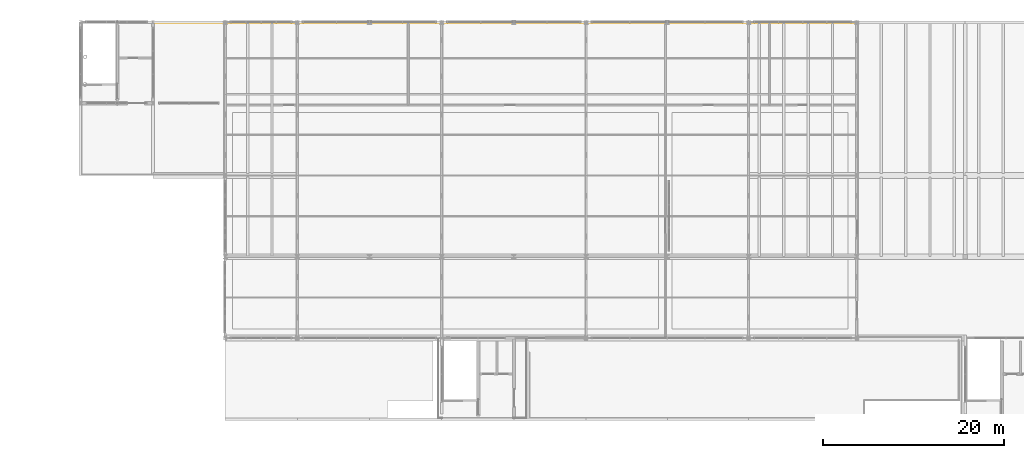
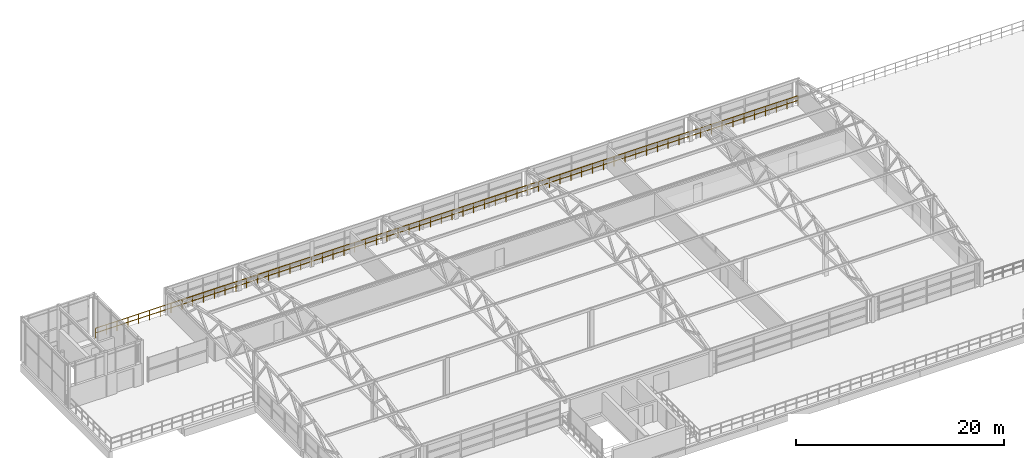
# One storey, part 45 of 50: 1 railing.
"""IFC4 building model written with IfcOpenShell, lengths in metres."""

from ifc_helpers import new_model, si_unit, derived_unit, direction, frame, origin, origin_2d, place, context, subcontext, project, spatial, circle, extrude, material, type_object, element, save


model = new_model("IFC4")

# Units and contexts
model_context = context("Model", 3, precision=1e-05, world=origin(), true_north=direction((0.0, 1.0)))
body_context = subcontext(model_context, "Body", "Model", "MODEL_VIEW")
ifc_project = project(units=[si_unit("LENGTHUNIT", "METRE"), si_unit("AREAUNIT", "SQUARE_METRE"), si_unit("VOLUMEUNIT", "CUBIC_METRE"), si_unit("PLANEANGLEUNIT", "RADIAN"), si_unit("MASSUNIT", "GRAM", prefix="KILO"), si_unit("THERMODYNAMICTEMPERATUREUNIT", "KELVIN"), derived_unit("THERMALTRANSMITTANCEUNIT", [(si_unit("POWERUNIT", "WATT"), 1), (si_unit("AREAUNIT", "SQUARE_METRE"), -1), (si_unit("THERMODYNAMICTEMPERATUREUNIT", "KELVIN"), -1)])], contexts=[model_context])

# Site, building, storey
site_placement = place(None, origin())
site = spatial("IfcSite", under=ifc_project, at=site_placement, CompositionType="ELEMENT")
building_placement = place(site_placement, origin())
building = spatial("IfcBuilding", under=site, at=building_placement, Name="Haiyu Intermodal Mobility Hub", CompositionType="ELEMENT")
storey_placement = place(building_placement, frame((0.0, 0.0, 25.10009765625)))
storey = spatial("IfcBuildingStorey", under=building, at=storey_placement, Name="L06", CompositionType="ELEMENT", Elevation=25.10009765625)

# Railing
ifc_material = material(Name="Steel Q355C", Category="steel")
railing_type = type_object("IfcRailingType", Name="RAL-GR03", PredefinedType="GUARDRAIL", material=ifc_material)
railing_placement = place(storey_placement, frame((30.050048828125, 147.8798828125, 0.0)))
element("IfcRailing", 1, at=railing_placement, inside=storey, type_object=railing_type, Name="L06 Sports Pavilion North Sill Guard", PredefinedType="GUARDRAIL", context=body_context, shape_type="SweptSolid", body=[
    extrude(circle(Radius=0.02392578125, at=origin_2d()), frame((0.030029296875, 0.0, 1.1259765625), z_axis=(1.0, 0.0, 0.0), x_axis=(0.0, 1.0, 0.0)), (0.0, 0.0, 1.0), 77.769775390625),
    extrude(circle(Radius=0.02392578125, at=origin_2d()), frame((0.037353515625, 0.0, 0.574951171875), z_axis=(1.0, 0.0, 0.0), x_axis=(0.0, 1.0, 0.0)), (0.0, 0.0, 1.0), 1.122802734375),
    extrude(circle(Radius=0.02392578125, at=origin_2d()), frame((1.234619140625, 0.0, 0.574951171875), z_axis=(1.0, 0.0, 0.0), x_axis=(0.0, 1.0, 0.0)), (0.0, 0.0, 1.0), 1.122802734375),
    extrude(circle(Radius=0.02392578125, at=origin_2d()), frame((2.43212890625, 0.0, 0.574951171875), z_axis=(1.0, 0.0, 0.0), x_axis=(0.0, 1.0, 0.0)), (0.0, 0.0, 1.0), 1.122802734375),
    extrude(circle(Radius=0.02392578125, at=origin_2d()), frame((3.62939453125, 0.0, 0.574951171875), z_axis=(1.0, 0.0, 0.0), x_axis=(0.0, 1.0, 0.0)), (0.0, 0.0, 1.0), 1.122802734375),
    extrude(circle(Radius=0.02392578125, at=origin_2d()), frame((4.826904296875, 0.0, 0.574951171875), z_axis=(1.0, 0.0, 0.0), x_axis=(0.0, 1.0, 0.0)), (0.0, 0.0, 1.0), 1.122802734375),
    extrude(circle(Radius=0.02392578125, at=origin_2d()), frame((6.024169921875, 0.0, 0.574951171875), z_axis=(1.0, 0.0, 0.0), x_axis=(0.0, 1.0, 0.0)), (0.0, 0.0, 1.0), 1.122802734375),
    extrude(circle(Radius=0.02392578125, at=origin_2d()), frame((7.2216796875, 0.0, 0.574951171875), z_axis=(1.0, 0.0, 0.0), x_axis=(0.0, 1.0, 0.0)), (0.0, 0.0, 1.0), 1.122802734375),
    extrude(circle(Radius=0.02392578125, at=origin_2d()), frame((8.4189453125, 0.0, 0.574951171875), z_axis=(1.0, 0.0, 0.0), x_axis=(0.0, 1.0, 0.0)), (0.0, 0.0, 1.0), 1.122802734375),
    extrude(circle(Radius=0.02392578125, at=origin_2d()), frame((9.616455078125, 0.0, 0.574951171875), z_axis=(1.0, 0.0, 0.0), x_axis=(0.0, 1.0, 0.0)), (0.0, 0.0, 1.0), 1.122802734375),
    extrude(circle(Radius=0.02392578125, at=origin_2d()), frame((10.813720703125, 0.0, 0.574951171875), z_axis=(1.0, 0.0, 0.0), x_axis=(0.0, 1.0, 0.0)), (0.0, 0.0, 1.0), 1.122802734375),
    extrude(circle(Radius=0.02392578125, at=origin_2d()), frame((12.01123046875, 0.0, 0.574951171875), z_axis=(1.0, 0.0, 0.0), x_axis=(0.0, 1.0, 0.0)), (0.0, 0.0, 1.0), 1.122802734375),
    extrude(circle(Radius=0.02392578125, at=origin_2d()), frame((13.20849609375, 0.0, 0.574951171875), z_axis=(1.0, 0.0, 0.0), x_axis=(0.0, 1.0, 0.0)), (0.0, 0.0, 1.0), 1.122802734375),
    extrude(circle(Radius=0.02392578125, at=origin_2d()), frame((14.40576171875, 0.0, 0.574951171875), z_axis=(1.0, 0.0, 0.0), x_axis=(0.0, 1.0, 0.0)), (0.0, 0.0, 1.0), 1.122802734375),
    extrude(circle(Radius=0.02392578125, at=origin_2d()), frame((15.603271484375, 0.0, 0.574951171875), z_axis=(1.0, 0.0, 0.0), x_axis=(0.0, 1.0, 0.0)), (0.0, 0.0, 1.0), 1.122802734375),
    extrude(circle(Radius=0.02392578125, at=origin_2d()), frame((16.800537109375, 0.0, 0.574951171875), z_axis=(1.0, 0.0, 0.0), x_axis=(0.0, 1.0, 0.0)), (0.0, 0.0, 1.0), 1.122802734375),
    extrude(circle(Radius=0.02392578125, at=origin_2d()), frame((17.998046875, 0.0, 0.574951171875), z_axis=(1.0, 0.0, 0.0), x_axis=(0.0, 1.0, 0.0)), (0.0, 0.0, 1.0), 1.122802734375),
    extrude(circle(Radius=0.02392578125, at=origin_2d()), frame((19.1953125, 0.0, 0.574951171875), z_axis=(1.0, 0.0, 0.0), x_axis=(0.0, 1.0, 0.0)), (0.0, 0.0, 1.0), 1.122802734375),
    extrude(circle(Radius=0.02392578125, at=origin_2d()), frame((20.392822265625, 0.0, 0.574951171875), z_axis=(1.0, 0.0, 0.0), x_axis=(0.0, 1.0, 0.0)), (0.0, 0.0, 1.0), 1.122802734375),
    extrude(circle(Radius=0.02392578125, at=origin_2d()), frame((21.590087890625, 0.0, 0.574951171875), z_axis=(1.0, 0.0, 0.0), x_axis=(0.0, 1.0, 0.0)), (0.0, 0.0, 1.0), 1.122802734375),
    extrude(circle(Radius=0.02392578125, at=origin_2d()), frame((22.78759765625, 0.0, 0.574951171875), z_axis=(1.0, 0.0, 0.0), x_axis=(0.0, 1.0, 0.0)), (0.0, 0.0, 1.0), 1.122802734375),
    extrude(circle(Radius=0.02392578125, at=origin_2d()), frame((23.98486328125, 0.0, 0.574951171875), z_axis=(1.0, 0.0, 0.0), x_axis=(0.0, 1.0, 0.0)), (0.0, 0.0, 1.0), 1.122802734375),
    extrude(circle(Radius=0.02392578125, at=origin_2d()), frame((25.182373046875, 0.0, 0.574951171875), z_axis=(1.0, 0.0, 0.0), x_axis=(0.0, 1.0, 0.0)), (0.0, 0.0, 1.0), 1.122802734375),
    extrude(circle(Radius=0.02392578125, at=origin_2d()), frame((26.379638671875, 0.0, 0.574951171875), z_axis=(1.0, 0.0, 0.0), x_axis=(0.0, 1.0, 0.0)), (0.0, 0.0, 1.0), 1.122802734375),
    extrude(circle(Radius=0.02392578125, at=origin_2d()), frame((27.5771484375, 0.0, 0.574951171875), z_axis=(1.0, 0.0, 0.0), x_axis=(0.0, 1.0, 0.0)), (0.0, 0.0, 1.0), 1.122802734375),
    extrude(circle(Radius=0.02392578125, at=origin_2d()), frame((28.7744140625, 0.0, 0.574951171875), z_axis=(1.0, 0.0, 0.0), x_axis=(0.0, 1.0, 0.0)), (0.0, 0.0, 1.0), 1.122802734375),
    extrude(circle(Radius=0.02392578125, at=origin_2d()), frame((29.971923828125, 0.0, 0.574951171875), z_axis=(1.0, 0.0, 0.0), x_axis=(0.0, 1.0, 0.0)), (0.0, 0.0, 1.0), 1.122802734375),
    extrude(circle(Radius=0.02392578125, at=origin_2d()), frame((31.169189453125, 0.0, 0.574951171875), z_axis=(1.0, 0.0, 0.0), x_axis=(0.0, 1.0, 0.0)), (0.0, 0.0, 1.0), 1.122802734375),
    extrude(circle(Radius=0.02392578125, at=origin_2d()), frame((32.36669921875, 0.0, 0.574951171875), z_axis=(1.0, 0.0, 0.0), x_axis=(0.0, 1.0, 0.0)), (0.0, 0.0, 1.0), 1.122802734375),
    extrude(circle(Radius=0.02392578125, at=origin_2d()), frame((33.56396484375, 0.0, 0.574951171875), z_axis=(1.0, 0.0, 0.0), x_axis=(0.0, 1.0, 0.0)), (0.0, 0.0, 1.0), 1.122802734375),
    extrude(circle(Radius=0.02392578125, at=origin_2d()), frame((34.761474609375, 0.0, 0.574951171875), z_axis=(1.0, 0.0, 0.0), x_axis=(0.0, 1.0, 0.0)), (0.0, 0.0, 1.0), 1.122802734375),
    extrude(circle(Radius=0.02392578125, at=origin_2d()), frame((35.958740234375, 0.0, 0.574951171875), z_axis=(1.0, 0.0, 0.0), x_axis=(0.0, 1.0, 0.0)), (0.0, 0.0, 1.0), 1.122802734375),
    extrude(circle(Radius=0.02392578125, at=origin_2d()), frame((37.15625, 0.0, 0.574951171875), z_axis=(1.0, 0.0, 0.0), x_axis=(0.0, 1.0, 0.0)), (0.0, 0.0, 1.0), 1.122802734375),
    extrude(circle(Radius=0.02392578125, at=origin_2d()), frame((38.353515625, 0.0, 0.574951171875), z_axis=(1.0, 0.0, 0.0), x_axis=(0.0, 1.0, 0.0)), (0.0, 0.0, 1.0), 1.122802734375),
    extrude(circle(Radius=0.02392578125, at=origin_2d()), frame((39.55078125, 0.0, 0.574951171875), z_axis=(1.0, 0.0, 0.0), x_axis=(0.0, 1.0, 0.0)), (0.0, 0.0, 1.0), 1.122802734375),
    extrude(circle(Radius=0.02392578125, at=origin_2d()), frame((40.748291015625, 0.0, 0.574951171875), z_axis=(1.0, 0.0, 0.0), x_axis=(0.0, 1.0, 0.0)), (0.0, 0.0, 1.0), 1.122802734375),
    extrude(circle(Radius=0.02392578125, at=origin_2d()), frame((41.945556640625, 0.0, 0.574951171875), z_axis=(1.0, 0.0, 0.0), x_axis=(0.0, 1.0, 0.0)), (0.0, 0.0, 1.0), 1.122802734375),
    extrude(circle(Radius=0.02392578125, at=origin_2d()), frame((43.14306640625, 0.0, 0.574951171875), z_axis=(1.0, 0.0, 0.0), x_axis=(0.0, 1.0, 0.0)), (0.0, 0.0, 1.0), 1.122802734375),
    extrude(circle(Radius=0.02392578125, at=origin_2d()), frame((44.34033203125, 0.0, 0.574951171875), z_axis=(1.0, 0.0, 0.0), x_axis=(0.0, 1.0, 0.0)), (0.0, 0.0, 1.0), 1.122802734375),
    extrude(circle(Radius=0.02392578125, at=origin_2d()), frame((45.537841796875, 0.0, 0.574951171875), z_axis=(1.0, 0.0, 0.0), x_axis=(0.0, 1.0, 0.0)), (0.0, 0.0, 1.0), 1.122802734375),
    extrude(circle(Radius=0.02392578125, at=origin_2d()), frame((46.735107421875, 0.0, 0.574951171875), z_axis=(1.0, 0.0, 0.0), x_axis=(0.0, 1.0, 0.0)), (0.0, 0.0, 1.0), 1.122802734375),
    extrude(circle(Radius=0.02392578125, at=origin_2d()), frame((47.9326171875, 0.0, 0.574951171875), z_axis=(1.0, 0.0, 0.0), x_axis=(0.0, 1.0, 0.0)), (0.0, 0.0, 1.0), 1.122802734375),
    extrude(circle(Radius=0.02392578125, at=origin_2d()), frame((49.1298828125, 0.0, 0.574951171875), z_axis=(1.0, 0.0, 0.0), x_axis=(0.0, 1.0, 0.0)), (0.0, 0.0, 1.0), 1.122802734375),
    extrude(circle(Radius=0.02392578125, at=origin_2d()), frame((50.327392578125, 0.0, 0.574951171875), z_axis=(1.0, 0.0, 0.0), x_axis=(0.0, 1.0, 0.0)), (0.0, 0.0, 1.0), 1.122802734375),
    extrude(circle(Radius=0.02392578125, at=origin_2d()), frame((51.524658203125, 0.0, 0.574951171875), z_axis=(1.0, 0.0, 0.0), x_axis=(0.0, 1.0, 0.0)), (0.0, 0.0, 1.0), 1.122802734375),
    extrude(circle(Radius=0.02392578125, at=origin_2d()), frame((52.72216796875, 0.0, 0.574951171875), z_axis=(1.0, 0.0, 0.0), x_axis=(0.0, 1.0, 0.0)), (0.0, 0.0, 1.0), 1.122802734375),
    extrude(circle(Radius=0.02392578125, at=origin_2d()), frame((53.91943359375, 0.0, 0.574951171875), z_axis=(1.0, 0.0, 0.0), x_axis=(0.0, 1.0, 0.0)), (0.0, 0.0, 1.0), 1.122802734375),
    extrude(circle(Radius=0.02392578125, at=origin_2d()), frame((55.116943359375, 0.0, 0.574951171875), z_axis=(1.0, 0.0, 0.0), x_axis=(0.0, 1.0, 0.0)), (0.0, 0.0, 1.0), 1.122802734375),
    extrude(circle(Radius=0.02392578125, at=origin_2d()), frame((56.314208984375, 0.0, 0.574951171875), z_axis=(1.0, 0.0, 0.0), x_axis=(0.0, 1.0, 0.0)), (0.0, 0.0, 1.0), 1.122802734375),
    extrude(circle(Radius=0.02392578125, at=origin_2d()), frame((57.51171875, 0.0, 0.574951171875), z_axis=(1.0, 0.0, 0.0), x_axis=(0.0, 1.0, 0.0)), (0.0, 0.0, 1.0), 1.122802734375),
    extrude(circle(Radius=0.02392578125, at=origin_2d()), frame((58.708984375, 0.0, 0.574951171875), z_axis=(1.0, 0.0, 0.0), x_axis=(0.0, 1.0, 0.0)), (0.0, 0.0, 1.0), 1.122802734375),
    extrude(circle(Radius=0.02392578125, at=origin_2d()), frame((59.906494140625, 0.0, 0.574951171875), z_axis=(1.0, 0.0, 0.0), x_axis=(0.0, 1.0, 0.0)), (0.0, 0.0, 1.0), 1.122802734375),
    extrude(circle(Radius=0.02392578125, at=origin_2d()), frame((61.103759765625, 0.0, 0.574951171875), z_axis=(1.0, 0.0, 0.0), x_axis=(0.0, 1.0, 0.0)), (0.0, 0.0, 1.0), 1.122802734375),
    extrude(circle(Radius=0.02392578125, at=origin_2d()), frame((62.30126953125, 0.0, 0.574951171875), z_axis=(1.0, 0.0, 0.0), x_axis=(0.0, 1.0, 0.0)), (0.0, 0.0, 1.0), 1.122802734375),
    extrude(circle(Radius=0.02392578125, at=origin_2d()), frame((63.49853515625, 0.0, 0.574951171875), z_axis=(1.0, 0.0, 0.0), x_axis=(0.0, 1.0, 0.0)), (0.0, 0.0, 1.0), 1.122802734375),
    extrude(circle(Radius=0.02392578125, at=origin_2d()), frame((64.696044921875, 0.0, 0.574951171875), z_axis=(1.0, 0.0, 0.0), x_axis=(0.0, 1.0, 0.0)), (0.0, 0.0, 1.0), 1.122802734375),
    extrude(circle(Radius=0.02392578125, at=origin_2d()), frame((65.893310546875, 0.0, 0.574951171875), z_axis=(1.0, 0.0, 0.0), x_axis=(0.0, 1.0, 0.0)), (0.0, 0.0, 1.0), 1.122802734375),
    extrude(circle(Radius=0.02392578125, at=origin_2d()), frame((67.090576171875, 0.0, 0.574951171875), z_axis=(1.0, 0.0, 0.0), x_axis=(0.0, 1.0, 0.0)), (0.0, 0.0, 1.0), 1.122802734375),
    extrude(circle(Radius=0.02392578125, at=origin_2d()), frame((68.2880859375, 0.0, 0.574951171875), z_axis=(1.0, 0.0, 0.0), x_axis=(0.0, 1.0, 0.0)), (0.0, 0.0, 1.0), 1.122802734375),
    extrude(circle(Radius=0.02392578125, at=origin_2d()), frame((69.4853515625, 0.0, 0.574951171875), z_axis=(1.0, 0.0, 0.0), x_axis=(0.0, 1.0, 0.0)), (0.0, 0.0, 1.0), 1.122802734375),
    extrude(circle(Radius=0.02392578125, at=origin_2d()), frame((70.682861328125, 0.0, 0.574951171875), z_axis=(1.0, 0.0, 0.0), x_axis=(0.0, 1.0, 0.0)), (0.0, 0.0, 1.0), 1.122802734375),
    extrude(circle(Radius=0.02392578125, at=origin_2d()), frame((71.880126953125, 0.0, 0.574951171875), z_axis=(1.0, 0.0, 0.0), x_axis=(0.0, 1.0, 0.0)), (0.0, 0.0, 1.0), 1.122802734375),
    extrude(circle(Radius=0.02392578125, at=origin_2d()), frame((73.07763671875, 0.0, 0.574951171875), z_axis=(1.0, 0.0, 0.0), x_axis=(0.0, 1.0, 0.0)), (0.0, 0.0, 1.0), 1.122802734375),
    extrude(circle(Radius=0.02392578125, at=origin_2d()), frame((74.27490234375, 0.0, 0.574951171875), z_axis=(1.0, 0.0, 0.0), x_axis=(0.0, 1.0, 0.0)), (0.0, 0.0, 1.0), 1.122802734375),
    extrude(circle(Radius=0.02392578125, at=origin_2d()), frame((75.472412109375, 0.0, 0.574951171875), z_axis=(1.0, 0.0, 0.0), x_axis=(0.0, 1.0, 0.0)), (0.0, 0.0, 1.0), 1.122802734375),
    extrude(circle(Radius=0.02392578125, at=origin_2d()), frame((76.669677734375, 0.0, 0.574951171875), z_axis=(1.0, 0.0, 0.0), x_axis=(0.0, 1.0, 0.0)), (0.0, 0.0, 1.0), 1.122802734375),
    extrude(circle(Radius=0.02099609375, at=origin_2d()), origin(), (0.0, 0.0, 1.0), 1.09375),
    extrude(circle(Radius=0.02099609375, at=origin_2d()), frame((1.197265625, 0.0, 0.0)), (0.0, 0.0, 1.0), 1.09375),
    extrude(circle(Radius=0.02099609375, at=origin_2d()), frame((2.394775390625, 0.0, 0.0)), (0.0, 0.0, 1.0), 1.09375),
    extrude(circle(Radius=0.02099609375, at=origin_2d()), frame((3.592041015625, 0.0, 0.0)), (0.0, 0.0, 1.0), 1.09375),
    extrude(circle(Radius=0.02099609375, at=origin_2d()), frame((4.78955078125, 0.0, 0.0)), (0.0, 0.0, 1.0), 1.09375),
    extrude(circle(Radius=0.02099609375, at=origin_2d()), frame((5.98681640625, 0.0, 0.0)), (0.0, 0.0, 1.0), 1.09375),
    extrude(circle(Radius=0.02099609375, at=origin_2d()), frame((7.184326171875, 0.0, 0.0)), (0.0, 0.0, 1.0), 1.09375),
    extrude(circle(Radius=0.02099609375, at=origin_2d()), frame((8.381591796875, 0.0, 0.0)), (0.0, 0.0, 1.0), 1.09375),
    extrude(circle(Radius=0.02099609375, at=origin_2d()), frame((9.5791015625, 0.0, 0.0)), (0.0, 0.0, 1.0), 1.09375),
    extrude(circle(Radius=0.02099609375, at=origin_2d()), frame((10.7763671875, 0.0, 0.0)), (0.0, 0.0, 1.0), 1.09375),
    extrude(circle(Radius=0.02099609375, at=origin_2d()), frame((11.973876953125, 0.0, 0.0)), (0.0, 0.0, 1.0), 1.09375),
    extrude(circle(Radius=0.02099609375, at=origin_2d()), frame((13.171142578125, 0.0, 0.0)), (0.0, 0.0, 1.0), 1.09375),
    extrude(circle(Radius=0.02099609375, at=origin_2d()), frame((14.36865234375, 0.0, 0.0)), (0.0, 0.0, 1.0), 1.09375),
    extrude(circle(Radius=0.02099609375, at=origin_2d()), frame((15.56591796875, 0.0, 0.0)), (0.0, 0.0, 1.0), 1.09375),
    extrude(circle(Radius=0.02099609375, at=origin_2d()), frame((16.763427734375, 0.0, 0.0)), (0.0, 0.0, 1.0), 1.09375),
    extrude(circle(Radius=0.02099609375, at=origin_2d()), frame((17.960693359375, 0.0, 0.0)), (0.0, 0.0, 1.0), 1.09375),
    extrude(circle(Radius=0.02099609375, at=origin_2d()), frame((19.158203125, 0.0, 0.0)), (0.0, 0.0, 1.0), 1.09375),
    extrude(circle(Radius=0.02099609375, at=origin_2d()), frame((20.35546875, 0.0, 0.0)), (0.0, 0.0, 1.0), 1.09375),
    extrude(circle(Radius=0.02099609375, at=origin_2d()), frame((21.552978515625, 0.0, 0.0)), (0.0, 0.0, 1.0), 1.09375),
    extrude(circle(Radius=0.02099609375, at=origin_2d()), frame((22.750244140625, 0.0, 0.0)), (0.0, 0.0, 1.0), 1.09375),
    extrude(circle(Radius=0.02099609375, at=origin_2d()), frame((23.94775390625, 0.0, 0.0)), (0.0, 0.0, 1.0), 1.09375),
    extrude(circle(Radius=0.02099609375, at=origin_2d()), frame((25.14501953125, 0.0, 0.0)), (0.0, 0.0, 1.0), 1.09375),
    extrude(circle(Radius=0.02099609375, at=origin_2d()), frame((26.34228515625, 0.0, 0.0)), (0.0, 0.0, 1.0), 1.09375),
    extrude(circle(Radius=0.02099609375, at=origin_2d()), frame((27.539794921875, 0.0, 0.0)), (0.0, 0.0, 1.0), 1.09375),
    extrude(circle(Radius=0.02099609375, at=origin_2d()), frame((28.737060546875, 0.0, 0.0)), (0.0, 0.0, 1.0), 1.09375),
    extrude(circle(Radius=0.02099609375, at=origin_2d()), frame((29.9345703125, 0.0, 0.0)), (0.0, 0.0, 1.0), 1.09375),
    extrude(circle(Radius=0.02099609375, at=origin_2d()), frame((31.1318359375, 0.0, 0.0)), (0.0, 0.0, 1.0), 1.09375),
    extrude(circle(Radius=0.02099609375, at=origin_2d()), frame((32.329345703125, 0.0, 0.0)), (0.0, 0.0, 1.0), 1.09375),
    extrude(circle(Radius=0.02099609375, at=origin_2d()), frame((33.526611328125, 0.0, 0.0)), (0.0, 0.0, 1.0), 1.09375),
    extrude(circle(Radius=0.02099609375, at=origin_2d()), frame((34.72412109375, 0.0, 0.0)), (0.0, 0.0, 1.0), 1.09375),
    extrude(circle(Radius=0.02099609375, at=origin_2d()), frame((35.92138671875, 0.0, 0.0)), (0.0, 0.0, 1.0), 1.09375),
    extrude(circle(Radius=0.02099609375, at=origin_2d()), frame((37.118896484375, 0.0, 0.0)), (0.0, 0.0, 1.0), 1.09375),
    extrude(circle(Radius=0.02099609375, at=origin_2d()), frame((38.316162109375, 0.0, 0.0)), (0.0, 0.0, 1.0), 1.09375),
    extrude(circle(Radius=0.02099609375, at=origin_2d()), frame((39.513671875, 0.0, 0.0)), (0.0, 0.0, 1.0), 1.09375),
    extrude(circle(Radius=0.02099609375, at=origin_2d()), frame((40.7109375, 0.0, 0.0)), (0.0, 0.0, 1.0), 1.09375),
    extrude(circle(Radius=0.02099609375, at=origin_2d()), frame((41.908447265625, 0.0, 0.0)), (0.0, 0.0, 1.0), 1.09375),
    extrude(circle(Radius=0.02099609375, at=origin_2d()), frame((43.105712890625, 0.0, 0.0)), (0.0, 0.0, 1.0), 1.09375),
    extrude(circle(Radius=0.02099609375, at=origin_2d()), frame((44.30322265625, 0.0, 0.0)), (0.0, 0.0, 1.0), 1.09375),
    extrude(circle(Radius=0.02099609375, at=origin_2d()), frame((45.50048828125, 0.0, 0.0)), (0.0, 0.0, 1.0), 1.09375),
    extrude(circle(Radius=0.02099609375, at=origin_2d()), frame((46.697998046875, 0.0, 0.0)), (0.0, 0.0, 1.0), 1.09375),
    extrude(circle(Radius=0.02099609375, at=origin_2d()), frame((47.895263671875, 0.0, 0.0)), (0.0, 0.0, 1.0), 1.09375),
    extrude(circle(Radius=0.02099609375, at=origin_2d()), frame((49.0927734375, 0.0, 0.0)), (0.0, 0.0, 1.0), 1.09375),
    extrude(circle(Radius=0.02099609375, at=origin_2d()), frame((50.2900390625, 0.0, 0.0)), (0.0, 0.0, 1.0), 1.09375),
    extrude(circle(Radius=0.02099609375, at=origin_2d()), frame((51.487548828125, 0.0, 0.0)), (0.0, 0.0, 1.0), 1.09375),
    extrude(circle(Radius=0.02099609375, at=origin_2d()), frame((52.684814453125, 0.0, 0.0)), (0.0, 0.0, 1.0), 1.09375),
    extrude(circle(Radius=0.02099609375, at=origin_2d()), frame((53.882080078125, 0.0, 0.0)), (0.0, 0.0, 1.0), 1.09375),
    extrude(circle(Radius=0.02099609375, at=origin_2d()), frame((55.07958984375, 0.0, 0.0)), (0.0, 0.0, 1.0), 1.09375),
    extrude(circle(Radius=0.02099609375, at=origin_2d()), frame((56.27685546875, 0.0, 0.0)), (0.0, 0.0, 1.0), 1.09375),
    extrude(circle(Radius=0.02099609375, at=origin_2d()), frame((57.474365234375, 0.0, 0.0)), (0.0, 0.0, 1.0), 1.09375),
    extrude(circle(Radius=0.02099609375, at=origin_2d()), frame((58.671630859375, 0.0, 0.0)), (0.0, 0.0, 1.0), 1.09375),
    extrude(circle(Radius=0.02099609375, at=origin_2d()), frame((59.869140625, 0.0, 0.0)), (0.0, 0.0, 1.0), 1.09375),
    extrude(circle(Radius=0.02099609375, at=origin_2d()), frame((61.06640625, 0.0, 0.0)), (0.0, 0.0, 1.0), 1.09375),
    extrude(circle(Radius=0.02099609375, at=origin_2d()), frame((62.263916015625, 0.0, 0.0)), (0.0, 0.0, 1.0), 1.09375),
    extrude(circle(Radius=0.02099609375, at=origin_2d()), frame((63.461181640625, 0.0, 0.0)), (0.0, 0.0, 1.0), 1.09375),
    extrude(circle(Radius=0.02099609375, at=origin_2d()), frame((64.65869140625, 0.0, 0.0)), (0.0, 0.0, 1.0), 1.09375),
    extrude(circle(Radius=0.02099609375, at=origin_2d()), frame((65.85595703125, 0.0, 0.0)), (0.0, 0.0, 1.0), 1.09375),
    extrude(circle(Radius=0.02099609375, at=origin_2d()), frame((67.053466796875, 0.0, 0.0)), (0.0, 0.0, 1.0), 1.09375),
    extrude(circle(Radius=0.02099609375, at=origin_2d()), frame((68.250732421875, 0.0, 0.0)), (0.0, 0.0, 1.0), 1.09375),
    extrude(circle(Radius=0.02099609375, at=origin_2d()), frame((69.4482421875, 0.0, 0.0)), (0.0, 0.0, 1.0), 1.09375),
    extrude(circle(Radius=0.02099609375, at=origin_2d()), frame((70.6455078125, 0.0, 0.0)), (0.0, 0.0, 1.0), 1.09375),
    extrude(circle(Radius=0.02099609375, at=origin_2d()), frame((71.843017578125, 0.0, 0.0)), (0.0, 0.0, 1.0), 1.09375),
    extrude(circle(Radius=0.02099609375, at=origin_2d()), frame((73.040283203125, 0.0, 0.0)), (0.0, 0.0, 1.0), 1.09375),
    extrude(circle(Radius=0.02099609375, at=origin_2d()), frame((74.23779296875, 0.0, 0.0)), (0.0, 0.0, 1.0), 1.09375),
    extrude(circle(Radius=0.02099609375, at=origin_2d()), frame((75.43505859375, 0.0, 0.0)), (0.0, 0.0, 1.0), 1.09375),
    extrude(circle(Radius=0.02099609375, at=origin_2d()), frame((76.632568359375, 0.0, 0.0)), (0.0, 0.0, 1.0), 1.09375),
    extrude(circle(Radius=0.02099609375, at=origin_2d()), frame((77.829833984375, 0.0, 0.0)), (0.0, 0.0, 1.0), 1.09375),
])

save(model, "model.ifc")
